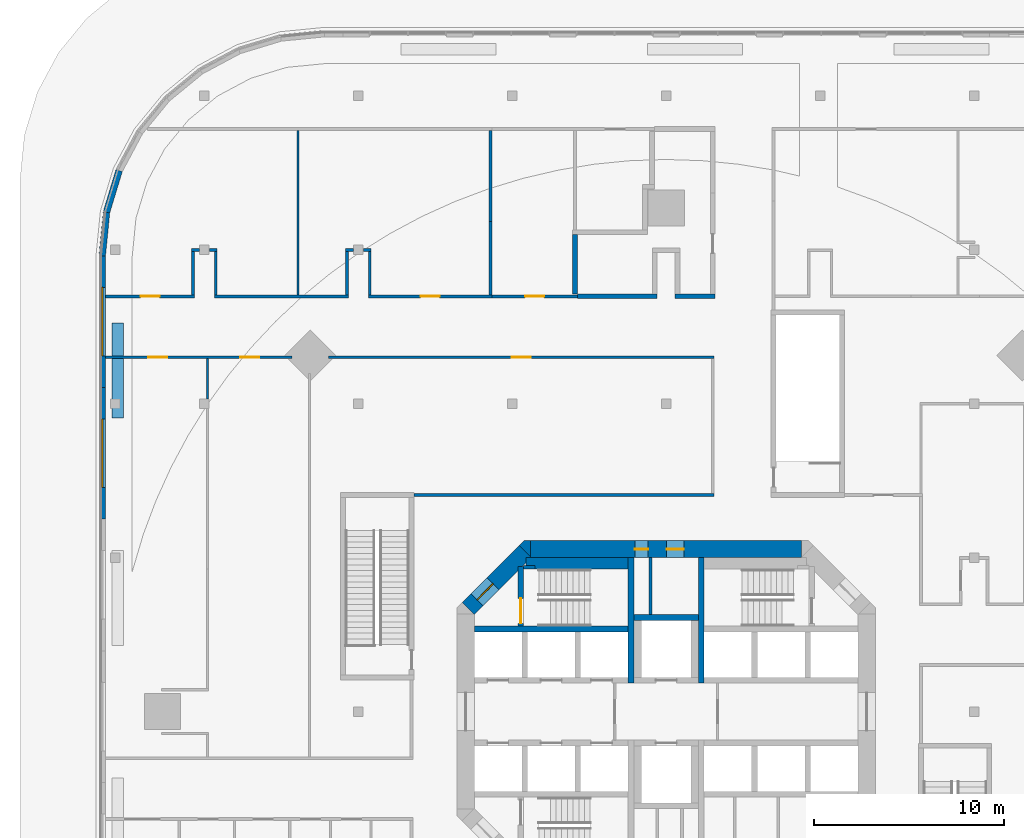
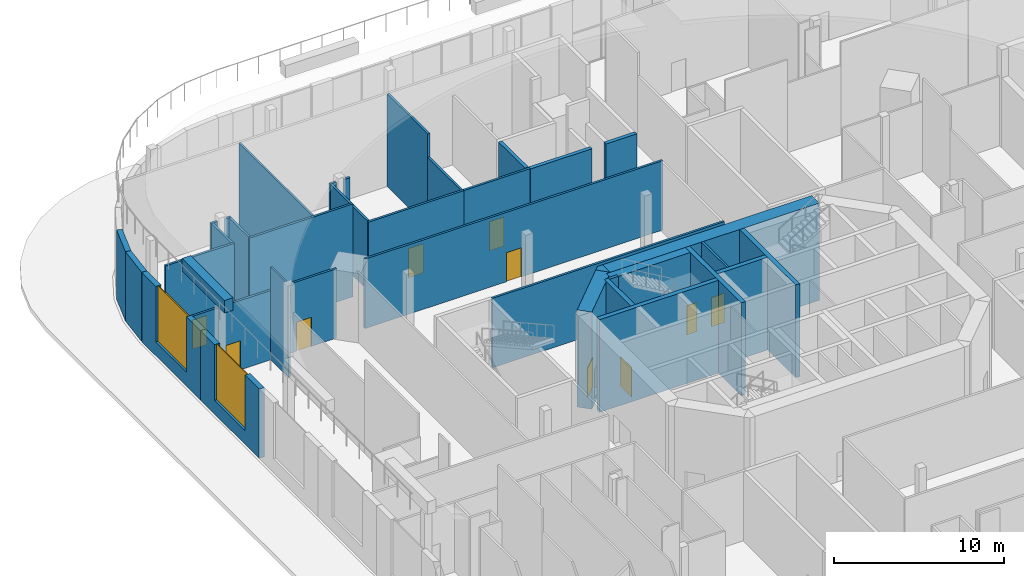
# One storey, part 10 of 17: 38 walls, 10 doors, 2 windows, 12 openings.
"""IFC4 building model written with IfcOpenShell, lengths in metres."""

from ifc_helpers import new_model, si_unit, direction, frame, frame_2d, origin, place, context, subcontext, project, spatial, polyline, rectangle, outline, extrude, material, layer, layer_set, type_object, element, fill, save


model = new_model("IFC4")

# Units and contexts
model_context = context("Model", 3, precision=1e-05, world=origin(), true_north=direction((0.0, 1.0)))
body_context = subcontext(model_context, "Body", "Model", "MODEL_VIEW")
ifc_project = project(units=[si_unit("LENGTHUNIT", "METRE"), si_unit("AREAUNIT", "SQUARE_METRE"), si_unit("VOLUMEUNIT", "CUBIC_METRE"), si_unit("PLANEANGLEUNIT", "RADIAN"), si_unit("MASSUNIT", "GRAM", prefix="KILO")], contexts=[model_context])

# Site, building, storey
site_placement = place(None, origin())
site = spatial("IfcSite", under=ifc_project, at=site_placement, CompositionType="ELEMENT")
building_placement = place(site_placement, origin())
building = spatial("IfcBuilding", under=site, at=building_placement, Name="Torre Triforio", CompositionType="ELEMENT")
storey_placement = place(building_placement, frame((0.0, 0.0, 13.0)))
storey = spatial("IfcBuildingStorey", under=building, at=storey_placement, Name="L02", CompositionType="ELEMENT", Elevation=13.0)

# Walls
ifc_material_1 = material(Name="Concrete C60", Category="concrete")
ifc_layer_1 = layer(ifc_material_1, 0.300048828125)
ifc_layer_set_1 = layer_set([ifc_layer_1], Name="Concrete C60")
wall_type_1 = type_object("IfcWallType", Name="Core wall 300 mm C60 EI 120", PredefinedType="SHEAR", material=ifc_layer_set_1)
for number, where, z_axis, x_axis, name in (
    (1, (-1.85009765625, 1.5, 0.0), (0.0, 0.0, 1.0), (0.0, 1.0, 0.0), "Core wall"),
    (2, (1.85009765625, 1.5, 0.0), (0.0, 0.0, 1.0), (0.0, 1.0, 0.0), "Core wall"),
):
    element("IfcWall", number, at=place(storey_placement, frame(where, z_axis=z_axis, x_axis=x_axis)), inside=storey, type_object=wall_type_1, Name=name, PredefinedType="SHEAR", context=body_context, shape_type="SweptSolid", body=[
        extrude(rectangle(XDim=6.60009765625, YDim=0.300048828125, at=frame_2d((3.300048828125, 0.0))), origin(), (0.0, 0.0, 1.0), 6.679931640625),
    ])

# Wall, openings, doors
ifc_layer_2 = layer(ifc_material_1, 0.89990234375)
ifc_layer_set_2 = layer_set([ifc_layer_2], Name="Concrete C60")
wall_type_2 = type_object("IfcWallType", Name="Core wall 900 mm C60 EI 120", PredefinedType="SHEAR", material=ifc_layer_set_2)
wall_1_placement = place(storey_placement, frame((-7.1298828125, 8.550048828125, -0.320068359375), z_axis=(0.0, 0.0, 1.0), x_axis=(1.0, 0.0, 0.0)))
wall_1 = element("IfcWall", 3, at=wall_1_placement, inside=storey, type_object=wall_type_2, Name="Core wall", PredefinedType="SHEAR", context=body_context, shape_type="SweptSolid", body=[
    extrude(rectangle(XDim=14.259765625, YDim=0.89990234375, at=frame_2d((7.1298828125, 0.0))), origin(), (0.0, 0.0, 1.0), 7.0),
])
opening_1_placement = place(wall_1_placement, frame((5.47998046875, 0.0, 0.320068359375)))
opening_1 = element("IfcOpeningElement", 4, at=opening_1_placement, cuts=wall_1, Name="Opening RISER-N", PredefinedType="OPENING", context=body_context, shape_type="SweptSolid", body=[
    extrude(rectangle(XDim=0.699951171875, YDim=2.10009765625, at=frame_2d((0.35009765625, 1.050048828125))), frame((0.0, 0.4599609375, 0.0), z_axis=(0.0, -1.0, 0.0), x_axis=(1.0, 0.0, 0.0)), (0.0, 0.0, 1.0), 0.919921875),
])
opening_2_placement = place(wall_1_placement, frame((7.155029296875, 0.0, 0.320068359375)))
opening_2 = element("IfcOpeningElement", 5, at=opening_2_placement, cuts=wall_1, Name="Opening NE-01", PredefinedType="OPENING", context=body_context, shape_type="SweptSolid", body=[
    extrude(rectangle(XDim=0.89990234375, YDim=2.10009765625, at=frame_2d((0.449951171875, 1.050048828125))), frame((0.0, 0.4599609375, 0.0), z_axis=(0.0, -1.0, 0.0), x_axis=(1.0, 0.0, 0.0)), (0.0, 0.0, 1.0), 0.919921875),
])
ifc_material_2 = material(Name="Hollow metal fire door leaf")
door_type_1 = type_object("IfcDoorType", Name="Riser door 700 x 2100 EI 60", OperationType="NOTDEFINED", PredefinedType="DOOR", material=ifc_material_2)
door_1_placement = place(opening_1_placement, origin())
door_1 = element("IfcDoor", 6, at=door_1_placement, inside=storey, type_object=door_type_1, Name="Core door RISER-N", OperationType="SINGLE_SWING_LEFT", OverallHeight=2.10009765625, OverallWidth=0.699951171875, PredefinedType="DOOR", context=body_context, shape_type="SweptSolid", body=[
    extrude(rectangle(XDim=0.699951171875, YDim=2.10009765625, at=frame_2d((0.35009765625, 1.050048828125))), frame((0.0, 0.02490234375, 0.0), z_axis=(0.0, -1.0, 0.0), x_axis=(1.0, 0.0, 0.0)), (0.0, 0.0, 1.0), 0.050048828125),
])
fill(opening_1, door_1)
door_type_2 = type_object("IfcDoorType", Name="Room door 900 x 2100 EI 60", OperationType="NOTDEFINED", PredefinedType="DOOR", material=ifc_material_2)
door_2_placement = place(opening_2_placement, origin())
door_2 = element("IfcDoor", 7, at=door_2_placement, inside=storey, type_object=door_type_2, Name="Core door NE-01", OperationType="SINGLE_SWING_RIGHT", OverallHeight=2.10009765625, OverallWidth=0.89990234375, PredefinedType="DOOR", context=body_context, shape_type="SweptSolid", body=[
    extrude(rectangle(XDim=0.89990234375, YDim=2.10009765625, at=frame_2d((0.449951171875, 1.050048828125))), frame((0.0, 0.02490234375, 0.0), z_axis=(0.0, -1.0, 0.0), x_axis=(1.0, 0.0, 0.0)), (0.0, 0.0, 1.0), 0.050048828125),
])
fill(opening_2, door_2)

# Wall, opening, door
wall_2_placement = place(storey_placement, frame((-10.418212890625, 5.418212890625, -0.320068359375), z_axis=(0.0, 0.0, 1.0), x_axis=(0.707106781187, 0.707106781187, 0.0)))
wall_2 = element("IfcWall", 8, at=wall_2_placement, inside=storey, type_object=wall_type_2, Name="Core wall", PredefinedType="SHEAR", context=body_context, shape_type="SweptSolid", body=[
    extrude(rectangle(XDim=4.24267578125, YDim=0.89990234375, at=frame_2d((2.121337890625, 0.0))), origin(), (0.0, 0.0, 1.0), 7.0),
])
opening_3_placement = place(wall_2_placement, frame((0.64990234375, 0.0, 0.320068359375)))
opening_3 = element("IfcOpeningElement", 9, at=opening_3_placement, cuts=wall_2, Name="Opening ST1-EXIT", PredefinedType="OPENING", context=body_context, shape_type="SweptSolid", body=[
    extrude(rectangle(XDim=1.199951171875, YDim=2.10009765625, at=frame_2d((0.60009765625, 1.050048828125))), frame((0.0, 0.4599609375, 0.0), z_axis=(0.0, -1.0, 0.0), x_axis=(1.0, 0.0, 0.0)), (0.0, 0.0, 1.0), 0.919921875),
])
door_type_3 = type_object("IfcDoorType", Name="Stair lobby door 1200 x 2100 EI 60", OperationType="NOTDEFINED", PredefinedType="DOOR", material=ifc_material_2)
door_3_placement = place(opening_3_placement, origin())
door_3 = element("IfcDoor", 10, at=door_3_placement, inside=storey, type_object=door_type_3, Name="Core door ST1-EXIT", OperationType="SINGLE_SWING_RIGHT", OverallHeight=2.10009765625, OverallWidth=1.199951171875, PredefinedType="DOOR", context=body_context, shape_type="SweptSolid", body=[
    extrude(rectangle(XDim=1.199951171875, YDim=2.10009765625, at=frame_2d((0.60009765625, 1.050048828125))), frame((0.0, 0.02490234375, 0.0), z_axis=(0.0, -1.0, 0.0), x_axis=(1.0, 0.0, 0.0)), (0.0, 0.0, 1.0), 0.050048828125),
])
fill(opening_3, door_3)

# Wall
wall_3_placement = place(storey_placement, frame((0.0, 0.0, -0.320068359375)))
element("IfcWall", 11, at=wall_3_placement, inside=storey, type_object=wall_type_2, Name="Core wall", PredefinedType="SHEAR", context=body_context, shape_type="SweptSolid", body=[
    extrude(outline(polyline([(-7.472900390625, 9.0), (-7.1298828125, 9.0), (-7.1298828125, 8.1298828125), (-7.736328125, 8.736328125), (-7.472900390625, 9.0)])), origin(), (0.0, 0.0, 1.0), 7.0),
])

# Wall, openings, doors
ifc_material_3 = material(Name="Plasterboard on metal studs")
ifc_layer_3 = layer(ifc_material_3, 0.14990234375)
ifc_layer_set_3 = layer_set([ifc_layer_3], Name="Plasterboard on metal studs")
wall_type_3 = type_object("IfcWallType", Name="Corridor wall 150 EI 60", PredefinedType="PARTITIONING", material=ifc_layer_set_3)
wall_4_placement = place(storey_placement, frame((-29.5, 18.64990234375, 0.0), z_axis=(0.0, 0.0, 1.0), x_axis=(1.0, 0.0, 0.0)))
wall_4 = element("IfcWall", 12, at=wall_4_placement, inside=storey, type_object=wall_type_3, Name="Corridor wall L02 071", PredefinedType="PARTITIONING", context=body_context, shape_type="SweptSolid", body=[
    extrude(rectangle(XDim=9.8017578125, YDim=0.14990234375, at=frame_2d((4.90087890625, 0.0))), origin(), (0.0, 0.0, 1.0), 5.0),
])
opening_4_placement = place(wall_4_placement, frame((2.25, 0.0, 0.0)))
opening_4 = element("IfcOpeningElement", 13, at=opening_4_placement, cuts=wall_4, Name="Opening P2-28", PredefinedType="OPENING", context=body_context, shape_type="SweptSolid", body=[
    extrude(rectangle(XDim=1.0, YDim=2.10009765625, at=frame_2d((0.5, 1.050048828125))), frame((0.0, 0.0849609375, 0.0), z_axis=(0.0, -1.0, 0.0), x_axis=(1.0, 0.0, 0.0)), (0.0, 0.0, 1.0), 0.169921875),
])
opening_5_placement = place(wall_4_placement, frame((7.07666015625, 0.0, 0.0)))
opening_5 = element("IfcOpeningElement", 14, at=opening_5_placement, cuts=wall_4, Name="Opening P2-29", PredefinedType="OPENING", context=body_context, shape_type="SweptSolid", body=[
    extrude(rectangle(XDim=1.0, YDim=2.10009765625, at=frame_2d((0.5, 1.050048828125))), frame((0.0, 0.0849609375, 0.0), z_axis=(0.0, -1.0, 0.0), x_axis=(1.0, 0.0, 0.0)), (0.0, 0.0, 1.0), 0.169921875),
])
ifc_material_4 = material(Name="Timber door leaf", Category="wood")
door_type_4 = type_object("IfcDoorType", Name="Single door 1000 x 2100 EI 30", OperationType="NOTDEFINED", PredefinedType="DOOR", material=ifc_material_4)
door_4_placement = place(opening_4_placement, origin())
door_4 = element("IfcDoor", 15, at=door_4_placement, inside=storey, type_object=door_type_4, Name="Door P2-28", OperationType="SINGLE_SWING_LEFT", OverallHeight=2.10009765625, OverallWidth=1.0, PredefinedType="DOOR", context=body_context, shape_type="SweptSolid", body=[
    extrude(rectangle(XDim=1.0, YDim=2.10009765625, at=frame_2d((0.5, 1.050048828125))), frame((0.0, 0.02490234375, 0.0), z_axis=(0.0, -1.0, 0.0), x_axis=(1.0, 0.0, 0.0)), (0.0, 0.0, 1.0), 0.050048828125),
])
fill(opening_4, door_4)
door_5_placement = place(opening_5_placement, origin())
door_5 = element("IfcDoor", 16, at=door_5_placement, inside=storey, type_object=door_type_4, Name="Door P2-29", OperationType="SINGLE_SWING_LEFT", OverallHeight=2.10009765625, OverallWidth=1.0, PredefinedType="DOOR", context=body_context, shape_type="SweptSolid", body=[
    extrude(rectangle(XDim=1.0, YDim=2.10009765625, at=frame_2d((0.5, 1.050048828125))), frame((0.0, 0.02490234375, 0.0), z_axis=(0.0, -1.0, 0.0), x_axis=(1.0, 0.0, 0.0)), (0.0, 0.0, 1.0), 0.050048828125),
])
fill(opening_5, door_5)

# Wall, opening, door
wall_5_placement = place(storey_placement, frame((-17.7783203125, 18.64990234375, 0.0), z_axis=(0.0, 0.0, 1.0), x_axis=(1.0, 0.0, 0.0)))
wall_5 = element("IfcWall", 17, at=wall_5_placement, inside=storey, type_object=wall_type_3, Name="Corridor wall L02 072", PredefinedType="PARTITIONING", context=body_context, shape_type="SweptSolid", body=[
    extrude(rectangle(XDim=20.30322265625, YDim=0.14990234375, at=frame_2d((10.151611328125, 0.0))), origin(), (0.0, 0.0, 1.0), 5.0),
])
opening_6_placement = place(wall_5_placement, frame((9.64990234375, 0.0, 0.0)))
opening_6 = element("IfcOpeningElement", 18, at=opening_6_placement, cuts=wall_5, Name="Opening P2-30", PredefinedType="OPENING", context=body_context, shape_type="SweptSolid", body=[
    extrude(rectangle(XDim=1.0, YDim=2.10009765625, at=frame_2d((0.5, 1.050048828125))), frame((0.0, 0.0849609375, 0.0), z_axis=(0.0, -1.0, 0.0), x_axis=(1.0, 0.0, 0.0)), (0.0, 0.0, 1.0), 0.169921875),
])
door_6_placement = place(opening_6_placement, origin())
door_6 = element("IfcDoor", 19, at=door_6_placement, inside=storey, type_object=door_type_4, Name="Door P2-30", OperationType="SINGLE_SWING_LEFT", OverallHeight=2.10009765625, OverallWidth=1.0, PredefinedType="DOOR", context=body_context, shape_type="SweptSolid", body=[
    extrude(rectangle(XDim=1.0, YDim=2.10009765625, at=frame_2d((0.5, 1.050048828125))), frame((0.0, 0.02490234375, 0.0), z_axis=(0.0, -1.0, 0.0), x_axis=(1.0, 0.0, 0.0)), (0.0, 0.0, 1.0), 0.050048828125),
])
fill(opening_6, door_6)

wall_6_placement = place(storey_placement, frame((-29.5, 21.85009765625, 0.0), z_axis=(0.0, 0.0, 1.0), x_axis=(1.0, 0.0, 0.0)))
wall_6 = element("IfcWall", 20, at=wall_6_placement, inside=storey, type_object=wall_type_3, Name="Corridor wall L02 073", PredefinedType="PARTITIONING", context=body_context, shape_type="SweptSolid", body=[
    extrude(rectangle(XDim=4.675048828125, YDim=0.14990234375, at=frame_2d((2.33740234375, 0.0))), origin(), (0.0, 0.0, 1.0), 6.679931640625),
])
opening_7_placement = place(wall_6_placement, frame((1.85009765625, 0.0, 0.0)))
opening_7 = element("IfcOpeningElement", 21, at=opening_7_placement, cuts=wall_6, Name="Opening P2-31", PredefinedType="OPENING", context=body_context, shape_type="SweptSolid", body=[
    extrude(rectangle(XDim=1.0, YDim=2.10009765625, at=frame_2d((0.5, 1.050048828125))), frame((0.0, 0.0849609375, 0.0), z_axis=(0.0, -1.0, 0.0), x_axis=(1.0, 0.0, 0.0)), (0.0, 0.0, 1.0), 0.169921875),
])
door_7_placement = place(opening_7_placement, origin())
door_7 = element("IfcDoor", 22, at=door_7_placement, inside=storey, type_object=door_type_4, Name="Door P2-31", OperationType="SINGLE_SWING_LEFT", OverallHeight=2.10009765625, OverallWidth=1.0, PredefinedType="DOOR", context=body_context, shape_type="SweptSolid", body=[
    extrude(rectangle(XDim=1.0, YDim=2.10009765625, at=frame_2d((0.5, 1.050048828125))), frame((0.0, 0.02490234375, 0.0), z_axis=(0.0, -1.0, 0.0), x_axis=(1.0, 0.0, 0.0)), (0.0, 0.0, 1.0), 0.050048828125),
])
fill(opening_7, door_7)

# Walls
wall_7_placement = place(storey_placement, frame((-23.77490234375, 21.85009765625, 0.0), z_axis=(0.0, 0.0, 1.0), x_axis=(1.0, 0.0, 0.0)))
element("IfcWall", 23, at=wall_7_placement, inside=storey, type_object=wall_type_3, Name="Corridor wall L02 074", PredefinedType="PARTITIONING", context=body_context, shape_type="SweptSolid", body=[
    extrude(rectangle(XDim=7.0498046875, YDim=0.14990234375, at=frame_2d((3.52490234375, 0.0))), origin(), (0.0, 0.0, 1.0), 6.679931640625),
])
for number, where, z_axis, x_axis, name in (
    (24, (-24.97509765625, 24.280029296875, 0.0), (0.0, 0.0, 1.0), (1.0, 0.0, 0.0), "Corridor wall L02 075"),
    (25, (-24.0400390625, 24.280029296875, 0.0), (0.0, 0.0, 1.0), (1.0, 0.0, 0.0), "Corridor wall L02 076"),
):
    element("IfcWall", number, at=place(storey_placement, frame(where, z_axis=z_axis, x_axis=x_axis)), inside=storey, type_object=wall_type_3, Name=name, PredefinedType="PARTITIONING", context=body_context, shape_type="SweptSolid", body=[
        extrude(rectangle(XDim=0.4150390625, YDim=0.14990234375, at=frame_2d((0.20751953125, 0.0))), origin(), (0.0, 0.0, 1.0), 6.679931640625),
    ])
for number, where, z_axis, x_axis, name in (
    (26, (-24.89990234375, 21.925048828125, 0.0), (0.0, 0.0, 1.0), (0.0, 1.0, 0.0), "Corridor wall L02 077"),
    (27, (-23.699951171875, 21.925048828125, 0.0), (0.0, 0.0, 1.0), (0.0, 1.0, 0.0), "Corridor wall L02 078"),
):
    element("IfcWall", number, at=place(storey_placement, frame(where, z_axis=z_axis, x_axis=x_axis)), inside=storey, type_object=wall_type_3, Name=name, PredefinedType="PARTITIONING", context=body_context, shape_type="SweptSolid", body=[
        extrude(rectangle(XDim=2.280029296875, YDim=0.14990234375, at=frame_2d((1.14013671875, 0.0))), origin(), (0.0, 0.0, 1.0), 6.679931640625),
    ])

# Wall, opening, door
wall_8_placement = place(storey_placement, frame((-15.675048828125, 21.85009765625, 0.0), z_axis=(0.0, 0.0, 1.0), x_axis=(1.0, 0.0, 0.0)))
wall_8 = element("IfcWall", 28, at=wall_8_placement, inside=storey, type_object=wall_type_3, Name="Corridor wall L02 079", PredefinedType="PARTITIONING", context=body_context, shape_type="SweptSolid", body=[
    extrude(rectangle(XDim=6.4970703125, YDim=0.14990234375, at=frame_2d((3.24853515625, 0.0))), origin(), (0.0, 0.0, 1.0), 5.0),
])
opening_8_placement = place(wall_8_placement, frame((2.75, 0.0, 0.0)))
opening_8 = element("IfcOpeningElement", 29, at=opening_8_placement, cuts=wall_8, Name="Opening P2-32", PredefinedType="OPENING", context=body_context, shape_type="SweptSolid", body=[
    extrude(rectangle(XDim=1.0, YDim=2.10009765625, at=frame_2d((0.5, 1.050048828125))), frame((0.0, 0.0849609375, 0.0), z_axis=(0.0, -1.0, 0.0), x_axis=(1.0, 0.0, 0.0)), (0.0, 0.0, 1.0), 0.169921875),
])
door_8_placement = place(opening_8_placement, origin())
door_8 = element("IfcDoor", 30, at=door_8_placement, inside=storey, type_object=door_type_4, Name="Door P2-32", OperationType="SINGLE_SWING_LEFT", OverallHeight=2.10009765625, OverallWidth=1.0, PredefinedType="DOOR", context=body_context, shape_type="SweptSolid", body=[
    extrude(rectangle(XDim=1.0, YDim=2.10009765625, at=frame_2d((0.5, 1.050048828125))), frame((0.0, 0.02490234375, 0.0), z_axis=(0.0, -1.0, 0.0), x_axis=(1.0, 0.0, 0.0)), (0.0, 0.0, 1.0), 0.050048828125),
])
fill(opening_8, door_8)

# Walls
for number, where, z_axis, x_axis, name in (
    (31, (-16.875, 24.280029296875, 0.0), (0.0, 0.0, 1.0), (1.0, 0.0, 0.0), "Corridor wall L02 080"),
    (32, (-15.93994140625, 24.280029296875, 0.0), (0.0, 0.0, 1.0), (1.0, 0.0, 0.0), "Corridor wall L02 081"),
):
    element("IfcWall", number, at=place(storey_placement, frame(where, z_axis=z_axis, x_axis=x_axis)), inside=storey, type_object=wall_type_3, Name=name, PredefinedType="PARTITIONING", context=body_context, shape_type="SweptSolid", body=[
        extrude(rectangle(XDim=0.4150390625, YDim=0.14990234375, at=frame_2d((0.20751953125, 0.0))), origin(), (0.0, 0.0, 1.0), 6.679931640625),
    ])
wall_9_placement = place(storey_placement, frame((-16.800048828125, 21.925048828125, 0.0), z_axis=(0.0, 0.0, 1.0), x_axis=(0.0, 1.0, 0.0)))
element("IfcWall", 33, at=wall_9_placement, inside=storey, type_object=wall_type_3, Name="Corridor wall L02 082", PredefinedType="PARTITIONING", context=body_context, shape_type="SweptSolid", body=[
    extrude(rectangle(XDim=2.280029296875, YDim=0.14990234375, at=frame_2d((1.14013671875, 0.0))), origin(), (0.0, 0.0, 1.0), 6.679931640625),
])
wall_10_placement = place(storey_placement, frame((-15.60009765625, 21.925048828125, 0.0), z_axis=(0.0, 0.0, 1.0), x_axis=(0.0, 1.0, 0.0)))
element("IfcWall", 34, at=wall_10_placement, inside=storey, type_object=wall_type_3, Name="Corridor wall L02 083", PredefinedType="PARTITIONING", context=body_context, shape_type="SweptSolid", body=[
    extrude(rectangle(XDim=2.280029296875, YDim=0.14990234375, at=frame_2d((1.14013671875, 0.0))), origin(), (0.0, 0.0, 1.0), 5.0),
])
wall_11_placement = place(storey_placement, frame((-13.27490234375, 11.39990234375, 0.0), z_axis=(0.0, 0.0, 1.0), x_axis=(1.0, 0.0, 0.0)))
element("IfcWall", 35, at=wall_11_placement, inside=storey, type_object=wall_type_3, Name="Corridor wall L02 144", PredefinedType="PARTITIONING", context=body_context, shape_type="SweptSolid", body=[
    extrude(rectangle(XDim=15.7998046875, YDim=0.14990234375, at=frame_2d((7.89990234375, 0.0))), origin(), (0.0, 0.0, 1.0), 5.0),
])
ifc_layer_4 = layer(ifc_material_3, 0.1201171875)
ifc_layer_set_4 = layer_set([ifc_layer_4], Name="Plasterboard on metal studs")
wall_type_4 = type_object("IfcWallType", Name="Partition 120", PredefinedType="PARTITIONING", material=ifc_layer_set_4)
wall_12_placement = place(storey_placement, frame((-24.13330078125, 16.4599609375, 0.0), z_axis=(0.0, 0.0, 1.0), x_axis=(0.0, 1.0, 0.0)))
element("IfcWall", 36, at=wall_12_placement, inside=storey, type_object=wall_type_4, Name="Partition L02 192", PredefinedType="PARTITIONING", context=body_context, shape_type="SweptSolid", body=[
    extrude(rectangle(XDim=2.114990234375, YDim=0.1201171875, at=frame_2d((1.0576171875, 0.0))), origin(), (0.0, 0.0, 1.0), 6.679931640625),
])
wall_13_placement = place(storey_placement, frame((-19.37646484375, 21.925048828125, 0.0), z_axis=(0.0, 0.0, 1.0), x_axis=(0.0, 1.0, 0.0)))
element("IfcWall", 37, at=wall_13_placement, inside=storey, type_object=wall_type_4, Name="Partition L02 195", PredefinedType="PARTITIONING", context=body_context, shape_type="SweptSolid", body=[
    extrude(rectangle(XDim=8.64990234375, YDim=0.1201171875, at=frame_2d((4.324951171875, 0.0))), origin(), (0.0, 0.0, 1.0), 6.679931640625),
])
ifc_material_5 = material(Name="Block and board partition")
ifc_layer_5 = layer(ifc_material_5, 0.14990234375)
ifc_layer_set_5 = layer_set([ifc_layer_5], Name="Block and board partition")
wall_type_5 = type_object("IfcWallType", Name="Partition 150 mm EI 120", PredefinedType="PARTITIONING", material=ifc_layer_set_5)
wall_14_placement = place(storey_placement, frame((-0.824951171875, 5.10009765625, 0.0), z_axis=(0.0, 0.0, 1.0), x_axis=(0.0, 1.0, 0.0)))
element("IfcWall", 38, at=wall_14_placement, inside=storey, type_object=wall_type_5, Name="Partition", PredefinedType="PARTITIONING", context=body_context, shape_type="SweptSolid", body=[
    extrude(rectangle(XDim=3.0, YDim=0.14990234375, at=frame_2d((1.5, 0.0))), origin(), (0.0, 0.0, 1.0), 6.679931640625),
])
ifc_material_6 = material(Name="Masonry block", Category="masonry")
ifc_layer_6 = layer(ifc_material_6, 0.25)
ifc_layer_set_6 = layer_set([ifc_layer_6], Name="Masonry block")
wall_type_6 = type_object("IfcWallType", Name="Plant room wall 250 EI 120", PredefinedType="PARTITIONING", material=ifc_layer_set_6)
wall_15_placement = place(storey_placement, frame((-4.673583984375, 21.85009765625, 0.0), z_axis=(0.0, 0.0, 1.0), x_axis=(1.0, 0.0, 0.0)))
element("IfcWall", 39, at=wall_15_placement, inside=storey, type_object=wall_type_6, Name="Plant room wall L02 066", PredefinedType="PARTITIONING", context=body_context, shape_type="SweptSolid", body=[
    extrude(rectangle(XDim=4.198486328125, YDim=0.25, at=frame_2d((2.09912109375, 0.0))), origin(), (0.0, 0.0, 1.0), 5.0),
])
wall_16_placement = place(storey_placement, frame((0.47509765625, 21.85009765625, 0.0), z_axis=(0.0, 0.0, 1.0), x_axis=(1.0, 0.0, 0.0)))
element("IfcWall", 40, at=wall_16_placement, inside=storey, type_object=wall_type_6, Name="Plant room wall L02 067", PredefinedType="PARTITIONING", context=body_context, shape_type="SweptSolid", body=[
    extrude(rectangle(XDim=2.099853515625, YDim=0.25, at=frame_2d((1.0498046875, 0.0))), origin(), (0.0, 0.0, 1.0), 5.0),
])
wall_17_placement = place(storey_placement, frame((-4.798583984375, 21.97509765625, 0.0), z_axis=(0.0, 0.0, 1.0), x_axis=(0.0, 1.0, 0.0)))
element("IfcWall", 41, at=wall_17_placement, inside=storey, type_object=wall_type_6, Name="Plant room wall L02 183", PredefinedType="PARTITIONING", context=body_context, shape_type="SweptSolid", body=[
    extrude(rectangle(XDim=3.116943359375, YDim=0.25, at=frame_2d((1.55859375, 0.0))), origin(), (0.0, 0.0, 1.0), 5.0),
])
ifc_layer_7 = layer(ifc_material_1, 0.300048828125)
ifc_layer_set_7 = layer_set([ifc_layer_7], Name="Concrete C60")
wall_type_7 = type_object("IfcWallType", Name="Shaft wall 300 mm C60 EI 120", PredefinedType="SOLIDWALL", material=ifc_layer_set_7)
wall_18_placement = place(storey_placement, frame((-10.10009765625, 4.35009765625, 0.0), z_axis=(0.0, 0.0, 1.0), x_axis=(1.0, 0.0, 0.0)))
element("IfcWall", 42, at=wall_18_placement, inside=storey, type_object=wall_type_7, Name="Shaft wall", PredefinedType="SOLIDWALL", context=body_context, shape_type="SweptSolid", body=[
    extrude(rectangle(XDim=8.10009765625, YDim=0.300048828125, at=frame_2d((4.050048828125, 0.0))), origin(), (0.0, 0.0, 1.0), 6.679931640625),
])
wall_19_placement = place(storey_placement, frame((-1.699951171875, 4.949951171875, 0.0), z_axis=(0.0, 0.0, 1.0), x_axis=(1.0, 0.0, 0.0)))
element("IfcWall", 43, at=wall_19_placement, inside=storey, type_object=wall_type_7, Name="Shaft wall", PredefinedType="SOLIDWALL", context=body_context, shape_type="SweptSolid", body=[
    extrude(rectangle(XDim=3.39990234375, YDim=0.300048828125, at=frame_2d((1.699951171875, 0.0))), origin(), (0.0, 0.0, 1.0), 6.679931640625),
])
ifc_layer_8 = layer(ifc_material_1, 0.199951171875)
ifc_layer_set_8 = layer_set([ifc_layer_8], Name="Concrete C60")
wall_type_8 = type_object("IfcWallType", Name="Stair wall 200 mm C60 EI 120", PredefinedType="SHEAR", material=ifc_layer_set_8)
wall_20_placement = place(storey_placement, frame((-7.5, 7.60009765625, 0.0), z_axis=(0.0, 0.0, 1.0), x_axis=(1.0, 0.0, 0.0)))
element("IfcWall", 44, at=wall_20_placement, inside=storey, type_object=wall_type_8, Name="Stair wall", PredefinedType="SHEAR", context=body_context, shape_type="SweptSolid", body=[
    extrude(rectangle(XDim=0.60009765625, YDim=0.199951171875, at=frame_2d((0.300048828125, 0.0))), origin(), (0.0, 0.0, 1.0), 6.679931640625),
])

# Wall, opening, door
ifc_layer_9 = layer(ifc_material_1, 0.300048828125)
ifc_layer_set_9 = layer_set([ifc_layer_9], Name="Concrete C60")
wall_type_9 = type_object("IfcWallType", Name="Stair wall 300 mm C60 EI 120", PredefinedType="SHEAR", material=ifc_layer_set_9)
wall_21_placement = place(storey_placement, frame((-7.64990234375, 4.5, 0.0), z_axis=(0.0, 0.0, 1.0), x_axis=(0.0, 1.0, 0.0)))
wall_21 = element("IfcWall", 45, at=wall_21_placement, inside=storey, type_object=wall_type_9, Name="Stair wall", PredefinedType="SHEAR", context=body_context, shape_type="SweptSolid", body=[
    extrude(rectangle(XDim=3.139892578125, YDim=0.300048828125, at=frame_2d((1.56982421875, 0.0))), origin(), (0.0, 0.0, 1.0), 6.679931640625),
])
opening_9_placement = place(wall_21_placement, frame((0.139892578125, 0.0, 0.0)))
opening_9 = element("IfcOpeningElement", 46, at=opening_9_placement, cuts=wall_21, Name="Opening ST1-STA", PredefinedType="OPENING", context=body_context, shape_type="SweptSolid", body=[
    extrude(rectangle(XDim=1.320068359375, YDim=2.10009765625, at=frame_2d((0.66015625, 1.050048828125))), frame((0.0, 0.159912109375, 0.0), z_axis=(0.0, -1.0, 0.0), x_axis=(1.0, 0.0, 0.0)), (0.0, 0.0, 1.0), 0.320068359375),
])
door_type_5 = type_object("IfcDoorType", Name="Stair door 1320 x 2100 EI 90", OperationType="DOUBLE_DOOR_SINGLE_SWING", PredefinedType="DOOR", material=ifc_material_2)
door_9_placement = place(opening_9_placement, origin())
door_9 = element("IfcDoor", 47, at=door_9_placement, inside=storey, type_object=door_type_5, Name="Core door ST1-ST", OperationType="DOUBLE_DOOR_SINGLE_SWING", OverallHeight=2.10009765625, OverallWidth=1.320068359375, PredefinedType="DOOR", context=body_context, shape_type="SweptSolid", body=[
    extrude(rectangle(XDim=1.320068359375, YDim=2.10009765625, at=frame_2d((0.66015625, 1.050048828125))), frame((0.0, 0.02490234375, 0.0), z_axis=(0.0, -1.0, 0.0), x_axis=(1.0, 0.0, 0.0)), (0.0, 0.0, 1.0), 0.050048828125),
])
fill(opening_9, door_9)

# Walls
ifc_layer_10 = layer(ifc_material_1, 0.60009765625)
ifc_layer_set_10 = layer_set([ifc_layer_10], Name="Concrete C60")
wall_type_10 = type_object("IfcWallType", Name="Stair wall 600 mm C60 EI 120", PredefinedType="SHEAR", material=ifc_layer_set_10)
wall_22_placement = place(storey_placement, frame((-7.3701171875, 7.800048828125, 0.0), z_axis=(0.0, 0.0, 1.0), x_axis=(1.0, 0.0, 0.0)))
element("IfcWall", 48, at=wall_22_placement, inside=storey, type_object=wall_type_10, Name="Stair wall", PredefinedType="SHEAR", context=body_context, shape_type="SweptSolid", body=[
    extrude(rectangle(XDim=5.3701171875, YDim=0.60009765625, at=frame_2d((2.68505859375, 0.0))), origin(), (0.0, 0.0, 1.0), 6.679931640625),
])
ifc_material_7 = material(Name="Limestone cladding", Category="masonry")
ifc_layer_11 = layer(ifc_material_7, 0.10009765625)
ifc_material_8 = material(Name="Concrete C40", Category="concrete")
ifc_layer_12 = layer(ifc_material_8, 0.25)
ifc_layer_set_11 = layer_set([ifc_layer_11, ifc_layer_12], Name="Limestone cladding / Concrete C40")
wall_type_11 = type_object("IfcWallType", Name="Stone-clad podium wall 350", PredefinedType="STANDARD", material=ifc_layer_set_11)
wall_23_placement = place(storey_placement, frame((-28.784912109375, 28.46728515625, 0.0), z_axis=(0.0, 0.0, 1.0), x_axis=(-0.29028274763, -0.956940921075, 0.0)))
element("IfcWall", 49, at=wall_23_placement, inside=storey, type_object=wall_type_11, Name="External wall L02 e24.0.w0", PredefinedType="STANDARD", context=body_context, shape_type="SweptSolid", body=[
    extrude(rectangle(XDim=2.28857421875, YDim=0.35009765625, at=frame_2d((1.144287109375, 0.0))), origin(), (0.0, 0.0, 1.0), 5.0),
])
wall_24_placement = place(storey_placement, frame((-29.44921875, 26.27734375, 0.0), z_axis=(0.0, 0.0, 1.0), x_axis=(-0.097993192849, -0.995187085002, 0.0)))
element("IfcWall", 50, at=wall_24_placement, inside=storey, type_object=wall_type_11, Name="External wall L02 e25.0.w0", PredefinedType="STANDARD", context=body_context, shape_type="SweptSolid", body=[
    extrude(rectangle(XDim=2.304443359375, YDim=0.35009765625, at=frame_2d((1.15234375, 0.0))), origin(), (0.0, 0.0, 1.0), 5.0),
])

# Wall, opening, window
wall_25_placement = place(storey_placement, frame((-29.675048828125, 23.98388671875, 0.0), z_axis=(0.0, 0.0, 1.0), x_axis=(0.0, -1.0, 0.0)))
wall_25 = element("IfcWall", 51, at=wall_25_placement, inside=storey, type_object=wall_type_11, Name="External wall L02 e26.0.w0", PredefinedType="STANDARD", context=body_context, shape_type="SweptSolid", body=[
    extrude(rectangle(XDim=6.9267578125, YDim=0.35009765625, at=frame_2d((3.46337890625, 0.0))), origin(), (0.0, 0.0, 1.0), 5.0),
])
opening_10_placement = place(wall_25_placement, frame((1.663330078125, 0.0, 1.0)))
opening_10 = element("IfcOpeningElement", 52, at=opening_10_placement, cuts=wall_25, Name="Opening P2-W10", PredefinedType="OPENING", context=body_context, shape_type="SweptSolid", body=[
    extrude(rectangle(XDim=3.60009765625, YDim=4.0, at=frame_2d((1.800048828125, 2.0))), frame((0.0, 0.18505859375, 0.0), z_axis=(0.0, -1.0, 0.0), x_axis=(1.0, 0.0, 0.0)), (0.0, 0.0, 1.0), 0.3701171875),
])
ifc_material_9 = material(Name="Aluminium frame with clear double glazing", Category="aluminium")
window_type = type_object("IfcWindowType", Name="Podium window 3600 x 4000", PartitioningType="DOUBLE_PANEL_VERTICAL", PredefinedType="WINDOW", material=ifc_material_9)
window_1_placement = place(opening_10_placement, origin())
window_1 = element("IfcWindow", 53, at=window_1_placement, inside=storey, type_object=window_type, Name="Window L02 e26.0.w0", OverallHeight=4.0, OverallWidth=3.60009765625, PartitioningType="SINGLE_PANEL", PredefinedType="WINDOW", context=body_context, shape_type="SweptSolid", body=[
    extrude(rectangle(XDim=3.60009765625, YDim=4.0, at=frame_2d((1.800048828125, 2.0))), frame((0.0, 0.030029296875, 0.0), z_axis=(0.0, -1.0, 0.0), x_axis=(1.0, 0.0, 0.0)), (0.0, 0.0, 1.0), 0.06005859375),
])
fill(opening_10, window_1)

wall_26_placement = place(storey_placement, frame((-29.675048828125, 17.05712890625, 0.0), z_axis=(0.0, 0.0, 1.0), x_axis=(0.0, -1.0, 0.0)))
wall_26 = element("IfcWall", 54, at=wall_26_placement, inside=storey, type_object=wall_type_11, Name="External wall L02 e26.0.w1", PredefinedType="STANDARD", context=body_context, shape_type="SweptSolid", body=[
    extrude(rectangle(XDim=6.9267578125, YDim=0.35009765625, at=frame_2d((3.46337890625, 0.0))), origin(), (0.0, 0.0, 1.0), 5.0),
])
opening_11_placement = place(wall_26_placement, frame((1.663330078125, 0.0, 1.0)))
opening_11 = element("IfcOpeningElement", 55, at=opening_11_placement, cuts=wall_26, Name="Opening P2-W11", PredefinedType="OPENING", context=body_context, shape_type="SweptSolid", body=[
    extrude(rectangle(XDim=3.60009765625, YDim=4.0, at=frame_2d((1.800048828125, 2.0))), frame((0.0, 0.18505859375, 0.0), z_axis=(0.0, -1.0, 0.0), x_axis=(1.0, 0.0, 0.0)), (0.0, 0.0, 1.0), 0.3701171875),
])
window_2_placement = place(opening_11_placement, origin())
window_2 = element("IfcWindow", 56, at=window_2_placement, inside=storey, type_object=window_type, Name="Window L02 e26.0.w1", OverallHeight=4.0, OverallWidth=3.60009765625, PartitioningType="SINGLE_PANEL", PredefinedType="WINDOW", context=body_context, shape_type="SweptSolid", body=[
    extrude(rectangle(XDim=3.60009765625, YDim=4.0, at=frame_2d((1.800048828125, 2.0))), frame((0.0, 0.030029296875, 0.0), z_axis=(0.0, -1.0, 0.0), x_axis=(1.0, 0.0, 0.0)), (0.0, 0.0, 1.0), 0.06005859375),
])
fill(opening_11, window_2)

# Wall
ifc_layer_13 = layer(ifc_material_7, 0.10009765625)
ifc_layer_14 = layer(ifc_material_8, 0.5)
ifc_layer_set_12 = layer_set([ifc_layer_13, ifc_layer_14], Name="Limestone cladding / Concrete C40")
wall_type_12 = type_object("IfcWallType", Name="Terrace planter wall 600", PredefinedType="PARAPET", material=ifc_layer_set_12)
wall_27_placement = place(storey_placement, frame((-28.85009765625, 20.45751953125, 7.0), z_axis=(0.0, 0.0, 1.0), x_axis=(0.0, -1.0, 0.0)))
element("IfcWall", 57, at=wall_27_placement, inside=storey, type_object=wall_type_12, Name="Terrace T3 planter 27.1", PredefinedType="PARAPET", context=body_context, shape_type="SweptSolid", body=[
    extrude(rectangle(XDim=5.0, YDim=0.60009765625, at=frame_2d((2.5, 0.0))), origin(), (0.0, 0.0, 1.0), 0.89990234375),
])

# Wall, opening, door
ifc_layer_15 = layer(ifc_material_3, 0.14990234375)
ifc_layer_set_13 = layer_set([ifc_layer_15], Name="Plasterboard on metal studs")
wall_type_13 = type_object("IfcWallType", Name="Wet room wall 150", PredefinedType="PARTITIONING", material=ifc_layer_set_13)
wall_28_placement = place(storey_placement, frame((-9.177978515625, 21.85009765625, 0.0), z_axis=(0.0, 0.0, 1.0), x_axis=(1.0, 0.0, 0.0)))
wall_28 = element("IfcWall", 58, at=wall_28_placement, inside=storey, type_object=wall_type_13, Name="Wet room wall L02 084", PredefinedType="PARTITIONING", context=body_context, shape_type="SweptSolid", body=[
    extrude(rectangle(XDim=4.50439453125, YDim=0.14990234375, at=frame_2d((2.252197265625, 0.0))), origin(), (0.0, 0.0, 1.0), 5.0),
])
opening_12_placement = place(wall_28_placement, frame((1.75, 0.0, 0.0)))
opening_12 = element("IfcOpeningElement", 59, at=opening_12_placement, cuts=wall_28, Name="Opening P2-33", PredefinedType="OPENING", context=body_context, shape_type="SweptSolid", body=[
    extrude(rectangle(XDim=1.0, YDim=2.10009765625, at=frame_2d((0.5, 1.050048828125))), frame((0.0, 0.0849609375, 0.0), z_axis=(0.0, -1.0, 0.0), x_axis=(1.0, 0.0, 0.0)), (0.0, 0.0, 1.0), 0.169921875),
])
door_type_6 = type_object("IfcDoorType", Name="Single door 1000 x 2100", OperationType="NOTDEFINED", PredefinedType="DOOR", material=ifc_material_4)
door_10_placement = place(opening_12_placement, origin())
door_10 = element("IfcDoor", 60, at=door_10_placement, inside=storey, type_object=door_type_6, Name="Door P2-33", OperationType="SINGLE_SWING_LEFT", OverallHeight=2.10009765625, OverallWidth=1.0, PredefinedType="DOOR", context=body_context, shape_type="SweptSolid", body=[
    extrude(rectangle(XDim=1.0, YDim=2.10009765625, at=frame_2d((0.5, 1.050048828125))), frame((0.0, 0.02490234375, 0.0), z_axis=(0.0, -1.0, 0.0), x_axis=(1.0, 0.0, 0.0)), (0.0, 0.0, 1.0), 0.050048828125),
])
fill(opening_12, door_10)

# Walls
wall_29_placement = place(storey_placement, frame((-9.2529296875, 21.925048828125, 0.0), z_axis=(0.0, 0.0, 1.0), x_axis=(0.0, 1.0, 0.0)))
element("IfcWall", 61, at=wall_29_placement, inside=storey, type_object=wall_type_13, Name="Wet room wall L02 196", PredefinedType="PARTITIONING", context=body_context, shape_type="SweptSolid", body=[
    extrude(rectangle(XDim=3.870849609375, YDim=0.14990234375, at=frame_2d((1.935546875, 0.0))), origin(), (0.0, 0.0, 1.0), 5.0),
])
wall_30_placement = place(storey_placement, frame((-9.2529296875, 25.7958984375, 0.0), z_axis=(0.0, 0.0, 1.0), x_axis=(0.0, 1.0, 0.0)))
element("IfcWall", 62, at=wall_30_placement, inside=storey, type_object=wall_type_13, Name="Wet room wall L02 197", PredefinedType="PARTITIONING", context=body_context, shape_type="SweptSolid", body=[
    extrude(rectangle(XDim=4.779052734375, YDim=0.14990234375, at=frame_2d((2.3896484375, 0.0))), origin(), (0.0, 0.0, 1.0), 6.679931640625),
])

save(model, "model.ifc")
